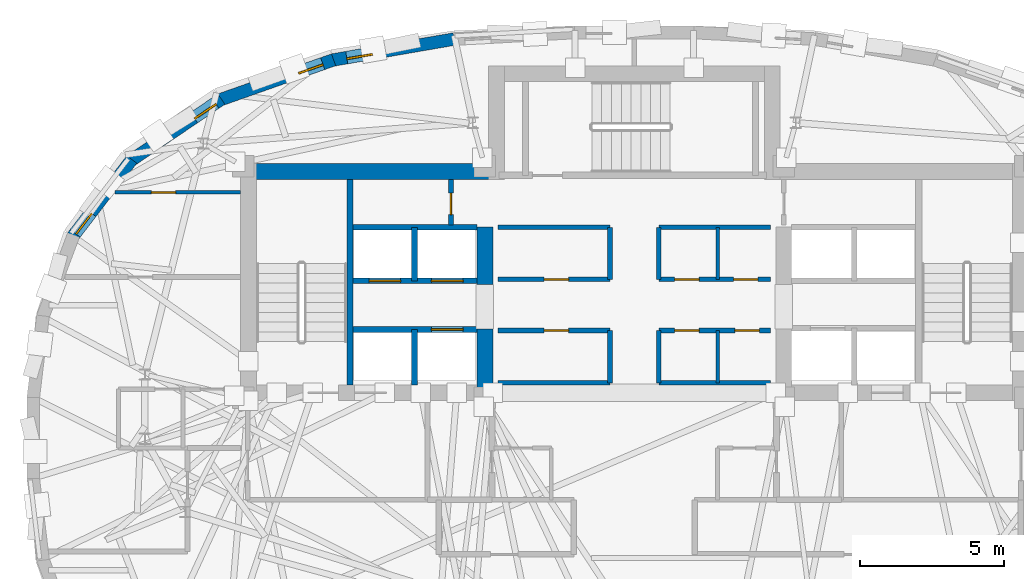
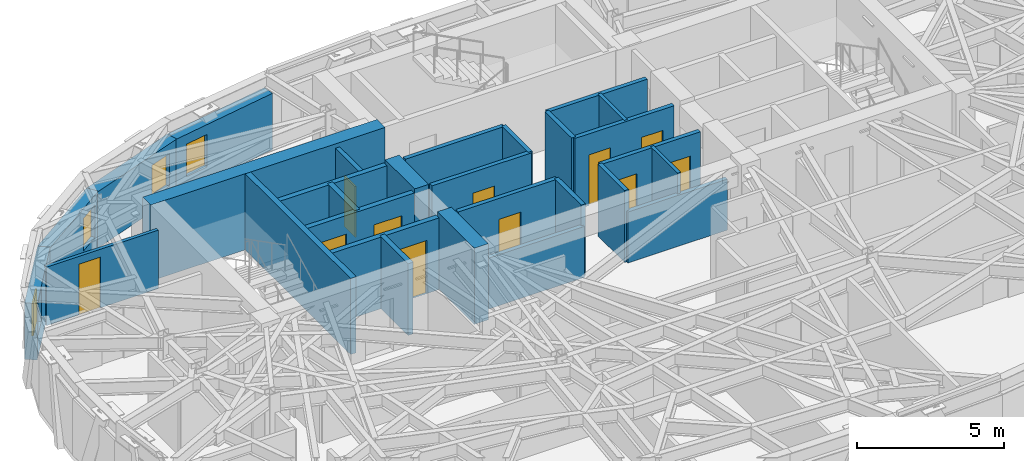
# One storey, part 7 of 12: 29 walls, 11 doors, 4 windows, 15 openings.
"""IFC4 building model written with IfcOpenShell, lengths in metres."""

from ifc_helpers import new_model, si_unit, direction, frame, frame_2d, origin, place, context, subcontext, project, spatial, rectangle, extrude, material, layer, layer_set, type_object, element, fill, save


model = new_model("IFC4")

# Units and contexts
model_context = context("Model", 3, precision=1e-05, world=origin(), true_north=direction((0.0, 1.0)))
body_context = subcontext(model_context, "Body", "Model", "MODEL_VIEW")
ifc_project = project(units=[si_unit("LENGTHUNIT", "METRE"), si_unit("AREAUNIT", "SQUARE_METRE"), si_unit("VOLUMEUNIT", "CUBIC_METRE"), si_unit("PLANEANGLEUNIT", "RADIAN"), si_unit("MASSUNIT", "GRAM", prefix="KILO")], contexts=[model_context])

# Site, building, storey
site_placement = place(None, origin())
site = spatial("IfcSite", under=ifc_project, at=site_placement, CompositionType="ELEMENT")
building_placement = place(site_placement, origin())
building = spatial("IfcBuilding", under=site, at=building_placement, Name="Keldmark Tower", CompositionType="ELEMENT")
storey_placement = place(building_placement, frame((0.0, 0.0, 247.800048828125)))
storey = spatial("IfcBuildingStorey", under=building, at=storey_placement, Name="L70", CompositionType="ELEMENT", Elevation=247.800048828125)

# Walls
ifc_material_1 = material(Name="Concrete C50/60", Category="concrete")
ifc_layer_1 = layer(ifc_material_1, 0.550048828125)
ifc_layer_set_1 = layer_set([ifc_layer_1], Name="Concrete C50/60")
wall_type_1 = type_object("IfcWallType", Name="High-Rise Core Shear Wall 550 mm", PredefinedType="SHEAR", material=ifc_layer_set_1)
wall_1_placement = place(storey_placement, frame((-13.699951171875, 9.27490234375, 0.0), z_axis=(0.0, 0.0, 1.0), x_axis=(1.0, 0.0, 0.0)))
element("IfcWall", 1, at=wall_1_placement, inside=storey, type_object=wall_type_1, Name="L70 West Core North Shear Wall", PredefinedType="SHEAR", context=body_context, shape_type="SweptSolid", body=[
    extrude(rectangle(XDim=9.175048828125, YDim=0.550048828125, at=frame_2d((4.58740234375, 0.0))), origin(), (0.0, 0.0, 1.0), 3.14990234375),
])
wall_2_placement = place(storey_placement, frame((-5.199951171875, 1.300048828125, 0.0), z_axis=(0.0, 0.0, 1.0), x_axis=(0.0, 1.0, 0.0)))
element("IfcWall", 2, at=wall_2_placement, inside=storey, type_object=wall_type_1, Name="L70 West Core Inner Shear Pier South", PredefinedType="SHEAR", context=body_context, shape_type="SweptSolid", body=[
    extrude(rectangle(XDim=2.5, YDim=0.550048828125, at=frame_2d((1.25, 0.0))), origin(), (0.0, 0.0, 1.0), 3.14990234375),
])
wall_3_placement = place(storey_placement, frame((-5.199951171875, 5.35009765625, 0.0), z_axis=(0.0, 0.0, 1.0), x_axis=(0.0, 1.0, 0.0)))
element("IfcWall", 3, at=wall_3_placement, inside=storey, type_object=wall_type_1, Name="L70 West Core Inner Shear Pier North", PredefinedType="SHEAR", context=body_context, shape_type="SweptSolid", body=[
    extrude(rectangle(XDim=2.0, YDim=0.550048828125, at=frame_2d((1.0, 0.0))), origin(), (0.0, 0.0, 1.0), 3.14990234375),
])
ifc_material_2 = material(Name="Acoustic Gypsum Board Interior Partition", Category="gypsum")
ifc_layer_2 = layer(ifc_material_2, 0.1298828125)
ifc_layer_set_2 = layer_set([ifc_layer_2], Name="Acoustic Gypsum Board Interior Partition")
wall_type_2 = type_object("IfcWallType", Name="Interior Partition 130 mm", PredefinedType="PARTITIONING", material=ifc_layer_set_2)
wall_4_placement = place(storey_placement, frame((2.89990234375, 1.919921875, 0.0), z_axis=(0.0, 0.0, 1.0), x_axis=(0.0, 1.0, 0.0)))
element("IfcWall", 4, at=wall_4_placement, inside=storey, type_object=wall_type_2, Name="L70 Interior Partition 130 mm REC-LE-M", PredefinedType="PARTITIONING", context=body_context, shape_type="SweptSolid", body=[
    extrude(rectangle(XDim=1.820068359375, YDim=0.1298828125, at=frame_2d((0.91015625, 0.0))), origin(), (0.0, 0.0, 1.0), 2.969970703125),
])
wall_5_placement = place(storey_placement, frame((2.89990234375, 5.52001953125, 0.0), z_axis=(0.0, 0.0, 1.0), x_axis=(0.0, 1.0, 0.0)))
element("IfcWall", 5, at=wall_5_placement, inside=storey, type_object=wall_type_2, Name="L70 Interior Partition 130 mm REC-ME-M", PredefinedType="PARTITIONING", context=body_context, shape_type="SweptSolid", body=[
    extrude(rectangle(XDim=1.81005859375, YDim=0.1298828125, at=frame_2d((0.905029296875, 0.0))), origin(), (0.0, 0.0, 1.0), 2.969970703125),
])

# Wall, opening, door
wall_6_placement = place(storey_placement, frame((-18.07177734375, 8.550048828125, 0.0), z_axis=(0.0, 0.0, 1.0), x_axis=(1.0, 0.0, 0.0)))
wall_6 = element("IfcWall", 6, at=wall_6_placement, inside=storey, type_object=wall_type_2, Name="L70 Interior Partition 130 mm UA-NDIV2", PredefinedType="PARTITIONING", context=body_context, shape_type="SweptSolid", body=[
    extrude(rectangle(XDim=4.371826171875, YDim=0.1298828125, at=frame_2d((2.18603515625, 0.0))), origin(), (0.0, 0.0, 1.0), 2.4228515625),
])
opening_1_placement = place(wall_6_placement, frame((1.264892578125, 0.0, 0.0)))
opening_1 = element("IfcOpeningElement", 7, at=opening_1_placement, cuts=wall_6, Name="Opening D-IN085", PredefinedType="OPENING", context=body_context, shape_type="SweptSolid", body=[
    extrude(rectangle(XDim=0.85009765625, YDim=2.10009765625, at=frame_2d((0.425048828125, 1.050048828125))), frame((0.0, 0.074951171875, 0.0), z_axis=(0.0, -1.0, 0.0), x_axis=(1.0, 0.0, 0.0)), (0.0, 0.0, 1.0), 0.14990234375),
])
ifc_material_3 = material(Name="Painted Architectural Wood", Category="wood")
door_type_1 = type_object("IfcDoorType", Name="Interior Door 850x2100", OperationType="NOTDEFINED", PredefinedType="DOOR", material=ifc_material_3)
door_1_placement = place(opening_1_placement, origin())
door_1 = element("IfcDoor", 8, at=door_1_placement, inside=storey, type_object=door_type_1, Name="L70 Interior Door 850x2100 D-UA-BR2-L70", OperationType="SINGLE_SWING_RIGHT", OverallHeight=2.10009765625, OverallWidth=0.85009765625, PredefinedType="DOOR", context=body_context, shape_type="SweptSolid", body=[
    extrude(rectangle(XDim=0.85009765625, YDim=2.10009765625, at=frame_2d((0.425048828125, 1.050048828125))), frame((0.0, 0.02490234375, 0.0), z_axis=(0.0, -1.0, 0.0), x_axis=(1.0, 0.0, 0.0)), (0.0, 0.0, 1.0), 0.050048828125),
])
fill(opening_1, door_1)

# Wall
ifc_material_4 = material(Name="Type X Fire-Rated Gypsum Partition Assembly", Category="gypsum")
ifc_layer_3 = layer(ifc_material_4, 0.1650390625)
ifc_layer_set_3 = layer_set([ifc_layer_3], Name="Type X Fire-Rated Gypsum Partition Assembly")
wall_type_3 = type_object("IfcWallType", Name="Rated Partition 165 mm", PredefinedType="PARTITIONING", material=ifc_layer_set_3)
wall_7_placement = place(storey_placement, frame((-4.739990234375, 1.919921875, 0.0), z_axis=(0.0, 0.0, 1.0), x_axis=(1.0, 0.0, 0.0)))
element("IfcWall", 9, at=wall_7_placement, inside=storey, type_object=wall_type_3, Name="L70 Rated Partition 165 mm REC-LW-S", PredefinedType="PARTITIONING", context=body_context, shape_type="SweptSolid", body=[
    extrude(rectangle(XDim=3.889892578125, YDim=0.1650390625, at=frame_2d((1.94482421875, 0.0))), origin(), (0.0, 0.0, 1.0), 2.10986328125),
])

# Wall, opening, door
wall_8_placement = place(storey_placement, frame((-4.739990234375, 3.739990234375, 0.0), z_axis=(0.0, 0.0, 1.0), x_axis=(1.0, 0.0, 0.0)))
wall_8 = element("IfcWall", 10, at=wall_8_placement, inside=storey, type_object=wall_type_3, Name="L70 Rated Partition 165 mm REC-LW-N", PredefinedType="PARTITIONING", context=body_context, shape_type="SweptSolid", body=[
    extrude(rectangle(XDim=3.889892578125, YDim=0.1650390625, at=frame_2d((1.94482421875, 0.0))), origin(), (0.0, 0.0, 1.0), 2.969970703125),
])
opening_2_placement = place(wall_8_placement, frame((1.60009765625, 0.0, 0.0)))
opening_2 = element("IfcOpeningElement", 11, at=opening_2_placement, cuts=wall_8, Name="Opening D-SV085", PredefinedType="OPENING", context=body_context, shape_type="SweptSolid", body=[
    extrude(rectangle(XDim=0.85009765625, YDim=2.10009765625, at=frame_2d((0.425048828125, 1.050048828125))), frame((0.0, 0.092529296875, 0.0), z_axis=(0.0, -1.0, 0.0), x_axis=(1.0, 0.0, 0.0)), (0.0, 0.0, 1.0), 0.18505859375),
])
ifc_material_5 = material(Name="Painted Hollow Metal Door Assembly", Category="metal")
door_type_2 = type_object("IfcDoorType", Name="Service Door 850x2100", OperationType="NOTDEFINED", PredefinedType="DOOR", material=ifc_material_5)
door_2_placement = place(opening_2_placement, origin())
door_2 = element("IfcDoor", 12, at=door_2_placement, inside=storey, type_object=door_type_2, Name="L70 Service Door 850x2100 D-RECLW1-L70", OperationType="SINGLE_SWING_LEFT", OverallHeight=2.10009765625, OverallWidth=0.85009765625, PredefinedType="DOOR", context=body_context, shape_type="SweptSolid", body=[
    extrude(rectangle(XDim=0.85009765625, YDim=2.10009765625, at=frame_2d((0.425048828125, 1.050048828125))), frame((0.0, 0.02490234375, 0.0), z_axis=(0.0, -1.0, 0.0), x_axis=(1.0, 0.0, 0.0)), (0.0, 0.0, 1.0), 0.050048828125),
])
fill(opening_2, door_2)

# Walls
wall_9_placement = place(storey_placement, frame((-0.85009765625, 1.919921875, 0.0), z_axis=(0.0, 0.0, 1.0), x_axis=(0.0, 1.0, 0.0)))
element("IfcWall", 13, at=wall_9_placement, inside=storey, type_object=wall_type_3, Name="L70 Rated Partition 165 mm REC-LW-E", PredefinedType="PARTITIONING", context=body_context, shape_type="SweptSolid", body=[
    extrude(rectangle(XDim=1.820068359375, YDim=0.1650390625, at=frame_2d((0.91015625, 0.0))), origin(), (0.0, 0.0, 1.0), 2.969970703125),
])
wall_10_placement = place(storey_placement, frame((0.85009765625, 1.919921875, 0.0), z_axis=(0.0, 0.0, 1.0), x_axis=(1.0, 0.0, 0.0)))
element("IfcWall", 14, at=wall_10_placement, inside=storey, type_object=wall_type_3, Name="L70 Rated Partition 165 mm REC-LE-S", PredefinedType="PARTITIONING", context=body_context, shape_type="SweptSolid", body=[
    extrude(rectangle(XDim=3.889892578125, YDim=0.1650390625, at=frame_2d((1.94482421875, 0.0))), origin(), (0.0, 0.0, 1.0), 2.10986328125),
])

# Wall, openings, doors
wall_11_placement = place(storey_placement, frame((0.85009765625, 3.739990234375, 0.0), z_axis=(0.0, 0.0, 1.0), x_axis=(1.0, 0.0, 0.0)))
wall_11 = element("IfcWall", 15, at=wall_11_placement, inside=storey, type_object=wall_type_3, Name="L70 Rated Partition 165 mm REC-LE-N", PredefinedType="PARTITIONING", context=body_context, shape_type="SweptSolid", body=[
    extrude(rectangle(XDim=3.889892578125, YDim=0.1650390625, at=frame_2d((1.94482421875, 0.0))), origin(), (0.0, 0.0, 1.0), 2.969970703125),
])
opening_3_placement = place(wall_11_placement, frame((0.550048828125, 0.0, 0.0)))
opening_3 = element("IfcOpeningElement", 16, at=opening_3_placement, cuts=wall_11, Name="Opening D-SV085", PredefinedType="OPENING", context=body_context, shape_type="SweptSolid", body=[
    extrude(rectangle(XDim=0.85009765625, YDim=2.10009765625, at=frame_2d((0.425048828125, 1.050048828125))), frame((0.0, 0.092529296875, 0.0), z_axis=(0.0, -1.0, 0.0), x_axis=(1.0, 0.0, 0.0)), (0.0, 0.0, 1.0), 0.18505859375),
])
opening_4_placement = place(wall_11_placement, frame((2.64990234375, 0.0, 0.0)))
opening_4 = element("IfcOpeningElement", 17, at=opening_4_placement, cuts=wall_11, Name="Opening D-SV085", PredefinedType="OPENING", context=body_context, shape_type="SweptSolid", body=[
    extrude(rectangle(XDim=0.85009765625, YDim=2.10009765625, at=frame_2d((0.425048828125, 1.050048828125))), frame((0.0, 0.092529296875, 0.0), z_axis=(0.0, -1.0, 0.0), x_axis=(1.0, 0.0, 0.0)), (0.0, 0.0, 1.0), 0.18505859375),
])
door_3_placement = place(opening_3_placement, origin())
door_3 = element("IfcDoor", 18, at=door_3_placement, inside=storey, type_object=door_type_2, Name="L70 Service Door 850x2100 D-RECLE1-L70", OperationType="SINGLE_SWING_LEFT", OverallHeight=2.10009765625, OverallWidth=0.85009765625, PredefinedType="DOOR", context=body_context, shape_type="SweptSolid", body=[
    extrude(rectangle(XDim=0.85009765625, YDim=2.10009765625, at=frame_2d((0.425048828125, 1.050048828125))), frame((0.0, 0.02490234375, 0.0), z_axis=(0.0, -1.0, 0.0), x_axis=(1.0, 0.0, 0.0)), (0.0, 0.0, 1.0), 0.050048828125),
])
fill(opening_3, door_3)
door_4_placement = place(opening_4_placement, origin())
door_4 = element("IfcDoor", 19, at=door_4_placement, inside=storey, type_object=door_type_2, Name="L70 Service Door 850x2100 D-RECLE2-L70", OperationType="SINGLE_SWING_RIGHT", OverallHeight=2.10009765625, OverallWidth=0.85009765625, PredefinedType="DOOR", context=body_context, shape_type="SweptSolid", body=[
    extrude(rectangle(XDim=0.85009765625, YDim=2.10009765625, at=frame_2d((0.425048828125, 1.050048828125))), frame((0.0, 0.02490234375, 0.0), z_axis=(0.0, -1.0, 0.0), x_axis=(1.0, 0.0, 0.0)), (0.0, 0.0, 1.0), 0.050048828125),
])
fill(opening_4, door_4)

# Wall
wall_12_placement = place(storey_placement, frame((0.85009765625, 1.919921875, 0.0), z_axis=(0.0, 0.0, 1.0), x_axis=(0.0, 1.0, 0.0)))
element("IfcWall", 20, at=wall_12_placement, inside=storey, type_object=wall_type_3, Name="L70 Rated Partition 165 mm REC-LE-W", PredefinedType="PARTITIONING", context=body_context, shape_type="SweptSolid", body=[
    extrude(rectangle(XDim=1.820068359375, YDim=0.1650390625, at=frame_2d((0.91015625, 0.0))), origin(), (0.0, 0.0, 1.0), 2.969970703125),
])

# Wall, opening, door
wall_13_placement = place(storey_placement, frame((-4.739990234375, 5.52001953125, 0.0), z_axis=(0.0, 0.0, 1.0), x_axis=(1.0, 0.0, 0.0)))
wall_13 = element("IfcWall", 21, at=wall_13_placement, inside=storey, type_object=wall_type_3, Name="L70 Rated Partition 165 mm REC-MW-S", PredefinedType="PARTITIONING", context=body_context, shape_type="SweptSolid", body=[
    extrude(rectangle(XDim=3.889892578125, YDim=0.1650390625, at=frame_2d((1.94482421875, 0.0))), origin(), (0.0, 0.0, 1.0), 2.969970703125),
])
opening_5_placement = place(wall_13_placement, frame((1.60009765625, 0.0, 0.0)))
opening_5 = element("IfcOpeningElement", 22, at=opening_5_placement, cuts=wall_13, Name="Opening D-SV085", PredefinedType="OPENING", context=body_context, shape_type="SweptSolid", body=[
    extrude(rectangle(XDim=0.85009765625, YDim=2.10009765625, at=frame_2d((0.425048828125, 1.050048828125))), frame((0.0, 0.092529296875, 0.0), z_axis=(0.0, -1.0, 0.0), x_axis=(1.0, 0.0, 0.0)), (0.0, 0.0, 1.0), 0.18505859375),
])
door_5_placement = place(opening_5_placement, origin())
door_5 = element("IfcDoor", 23, at=door_5_placement, inside=storey, type_object=door_type_2, Name="L70 Service Door 850x2100 D-RECMW1-L70", OperationType="SINGLE_SWING_LEFT", OverallHeight=2.10009765625, OverallWidth=0.85009765625, PredefinedType="DOOR", context=body_context, shape_type="SweptSolid", body=[
    extrude(rectangle(XDim=0.85009765625, YDim=2.10009765625, at=frame_2d((0.425048828125, 1.050048828125))), frame((0.0, 0.02490234375, 0.0), z_axis=(0.0, -1.0, 0.0), x_axis=(1.0, 0.0, 0.0)), (0.0, 0.0, 1.0), 0.050048828125),
])
fill(opening_5, door_5)

# Walls
wall_14_placement = place(storey_placement, frame((-4.739990234375, 7.330078125, 0.0), z_axis=(0.0, 0.0, 1.0), x_axis=(1.0, 0.0, 0.0)))
element("IfcWall", 24, at=wall_14_placement, inside=storey, type_object=wall_type_3, Name="L70 Rated Partition 165 mm REC-MW-N", PredefinedType="PARTITIONING", context=body_context, shape_type="SweptSolid", body=[
    extrude(rectangle(XDim=3.889892578125, YDim=0.1650390625, at=frame_2d((1.94482421875, 0.0))), origin(), (0.0, 0.0, 1.0), 2.969970703125),
])
wall_15_placement = place(storey_placement, frame((-0.85009765625, 5.52001953125, 0.0), z_axis=(0.0, 0.0, 1.0), x_axis=(0.0, 1.0, 0.0)))
element("IfcWall", 25, at=wall_15_placement, inside=storey, type_object=wall_type_3, Name="L70 Rated Partition 165 mm REC-MW-E", PredefinedType="PARTITIONING", context=body_context, shape_type="SweptSolid", body=[
    extrude(rectangle(XDim=1.81005859375, YDim=0.1650390625, at=frame_2d((0.905029296875, 0.0))), origin(), (0.0, 0.0, 1.0), 2.969970703125),
])

# Wall, openings, doors
wall_16_placement = place(storey_placement, frame((0.85009765625, 5.52001953125, 0.0), z_axis=(0.0, 0.0, 1.0), x_axis=(1.0, 0.0, 0.0)))
wall_16 = element("IfcWall", 26, at=wall_16_placement, inside=storey, type_object=wall_type_3, Name="L70 Rated Partition 165 mm REC-ME-S", PredefinedType="PARTITIONING", context=body_context, shape_type="SweptSolid", body=[
    extrude(rectangle(XDim=3.889892578125, YDim=0.1650390625, at=frame_2d((1.94482421875, 0.0))), origin(), (0.0, 0.0, 1.0), 2.969970703125),
])
opening_6_placement = place(wall_16_placement, frame((0.550048828125, 0.0, 0.0)))
opening_6 = element("IfcOpeningElement", 27, at=opening_6_placement, cuts=wall_16, Name="Opening D-SV085", PredefinedType="OPENING", context=body_context, shape_type="SweptSolid", body=[
    extrude(rectangle(XDim=0.85009765625, YDim=2.10009765625, at=frame_2d((0.425048828125, 1.050048828125))), frame((0.0, 0.092529296875, 0.0), z_axis=(0.0, -1.0, 0.0), x_axis=(1.0, 0.0, 0.0)), (0.0, 0.0, 1.0), 0.18505859375),
])
opening_7_placement = place(wall_16_placement, frame((2.60009765625, 0.0, 0.0)))
opening_7 = element("IfcOpeningElement", 28, at=opening_7_placement, cuts=wall_16, Name="Opening D-SV085", PredefinedType="OPENING", context=body_context, shape_type="SweptSolid", body=[
    extrude(rectangle(XDim=0.85009765625, YDim=2.10009765625, at=frame_2d((0.425048828125, 1.050048828125))), frame((0.0, 0.092529296875, 0.0), z_axis=(0.0, -1.0, 0.0), x_axis=(1.0, 0.0, 0.0)), (0.0, 0.0, 1.0), 0.18505859375),
])
door_6_placement = place(opening_6_placement, origin())
door_6 = element("IfcDoor", 29, at=door_6_placement, inside=storey, type_object=door_type_2, Name="L70 Service Door 850x2100 D-RECME1-L70", OperationType="SINGLE_SWING_RIGHT", OverallHeight=2.10009765625, OverallWidth=0.85009765625, PredefinedType="DOOR", context=body_context, shape_type="SweptSolid", body=[
    extrude(rectangle(XDim=0.85009765625, YDim=2.10009765625, at=frame_2d((0.425048828125, 1.050048828125))), frame((0.0, 0.02490234375, 0.0), z_axis=(0.0, -1.0, 0.0), x_axis=(1.0, 0.0, 0.0)), (0.0, 0.0, 1.0), 0.050048828125),
])
fill(opening_6, door_6)
door_7_placement = place(opening_7_placement, origin())
door_7 = element("IfcDoor", 30, at=door_7_placement, inside=storey, type_object=door_type_2, Name="L70 Service Door 850x2100 D-RECME2-L70", OperationType="SINGLE_SWING_RIGHT", OverallHeight=2.10009765625, OverallWidth=0.85009765625, PredefinedType="DOOR", context=body_context, shape_type="SweptSolid", body=[
    extrude(rectangle(XDim=0.85009765625, YDim=2.10009765625, at=frame_2d((0.425048828125, 1.050048828125))), frame((0.0, 0.02490234375, 0.0), z_axis=(0.0, -1.0, 0.0), x_axis=(1.0, 0.0, 0.0)), (0.0, 0.0, 1.0), 0.050048828125),
])
fill(opening_7, door_7)

# Walls
wall_17_placement = place(storey_placement, frame((0.85009765625, 7.330078125, 0.0), z_axis=(0.0, 0.0, 1.0), x_axis=(1.0, 0.0, 0.0)))
element("IfcWall", 31, at=wall_17_placement, inside=storey, type_object=wall_type_3, Name="L70 Rated Partition 165 mm REC-ME-N", PredefinedType="PARTITIONING", context=body_context, shape_type="SweptSolid", body=[
    extrude(rectangle(XDim=3.889892578125, YDim=0.1650390625, at=frame_2d((1.94482421875, 0.0))), origin(), (0.0, 0.0, 1.0), 2.969970703125),
])
wall_18_placement = place(storey_placement, frame((0.85009765625, 5.52001953125, 0.0), z_axis=(0.0, 0.0, 1.0), x_axis=(0.0, 1.0, 0.0)))
element("IfcWall", 32, at=wall_18_placement, inside=storey, type_object=wall_type_3, Name="L70 Rated Partition 165 mm REC-ME-W", PredefinedType="PARTITIONING", context=body_context, shape_type="SweptSolid", body=[
    extrude(rectangle(XDim=1.81005859375, YDim=0.1650390625, at=frame_2d((0.905029296875, 0.0))), origin(), (0.0, 0.0, 1.0), 2.969970703125),
])

# Wall, opening, door
wall_19_placement = place(storey_placement, frame((-6.3798828125, 7.419921875, 0.0), z_axis=(0.0, 0.0, 1.0), x_axis=(0.0, 1.0, 0.0)))
wall_19 = element("IfcWall", 33, at=wall_19_placement, inside=storey, type_object=wall_type_3, Name="L70 Rated Partition 165 mm CS-NW-E", PredefinedType="PARTITIONING", context=body_context, shape_type="SweptSolid", body=[
    extrude(rectangle(XDim=1.580078125, YDim=0.1650390625, at=frame_2d((0.7900390625, 0.0))), origin(), (0.0, 0.0, 1.0), 2.969970703125),
])
opening_8_placement = place(wall_19_placement, frame((0.35009765625, 0.0, 0.0)))
opening_8 = element("IfcOpeningElement", 34, at=opening_8_placement, cuts=wall_19, Name="Opening D-RS075", PredefinedType="OPENING", context=body_context, shape_type="SweptSolid", body=[
    extrude(rectangle(XDim=0.75, YDim=2.10009765625, at=frame_2d((0.375, 1.050048828125))), frame((0.0, 0.092529296875, 0.0), z_axis=(0.0, -1.0, 0.0), x_axis=(1.0, 0.0, 0.0)), (0.0, 0.0, 1.0), 0.18505859375),
])
ifc_material_6 = material(Name="Galvanized Fire-Rated Access Leaf", Category="metal")
door_type_3 = type_object("IfcDoorType", Name="Riser Access Door 750x2100", OperationType="NOTDEFINED", PredefinedType="DOOR", material=ifc_material_6)
door_8_placement = place(opening_8_placement, origin())
door_8 = element("IfcDoor", 35, at=door_8_placement, inside=storey, type_object=door_type_3, Name="L70 Riser Access Door 750x2100 D-CSNW1-L70", OperationType="SINGLE_SWING_RIGHT", OverallHeight=2.10009765625, OverallWidth=0.75, PredefinedType="DOOR", context=body_context, shape_type="SweptSolid", body=[
    extrude(rectangle(XDim=0.75, YDim=2.10009765625, at=frame_2d((0.375, 1.050048828125))), frame((0.0, 0.02490234375, 0.0), z_axis=(0.0, -1.0, 0.0), x_axis=(1.0, 0.0, 0.0)), (0.0, 0.0, 1.0), 0.050048828125),
])
fill(opening_8, door_8)

ifc_material_7 = material(Name="Fire-Resistant Type X Gypsum Shaftliner Coreboard", Category="gypsum")
ifc_layer_4 = layer(ifc_material_7, 0.199951171875)
ifc_layer_set_4 = layer_set([ifc_layer_4], Name="Fire-Resistant Type X Gypsum Shaftliner Coreboard")
wall_type_4 = type_object("IfcWallType", Name="Shaft Wall 200 mm", PredefinedType="SOLIDWALL", material=ifc_layer_set_4)
wall_20_placement = place(storey_placement, frame((-9.780029296875, 3.780029296875, 0.0), z_axis=(0.0, 0.0, 1.0), x_axis=(1.0, 0.0, 0.0)))
wall_20 = element("IfcWall", 36, at=wall_20_placement, inside=storey, type_object=wall_type_4, Name="L70 Shaft Wall 200 mm HW-W-S", PredefinedType="SOLIDWALL", context=body_context, shape_type="SweptSolid", body=[
    extrude(rectangle(XDim=4.304931640625, YDim=0.199951171875, at=frame_2d((2.15234375, 0.0))), origin(), (0.0, 0.0, 1.0), 2.969970703125),
])
opening_9_placement = place(wall_20_placement, frame((2.719970703125, 0.0, 0.0)))
opening_9 = element("IfcOpeningElement", 37, at=opening_9_placement, cuts=wall_20, Name="Opening LD-110", PredefinedType="OPENING", context=body_context, shape_type="SweptSolid", body=[
    extrude(rectangle(XDim=1.10009765625, YDim=2.199951171875, at=frame_2d((0.550048828125, 1.10009765625))), frame((0.0, 0.10986328125, 0.0), z_axis=(0.0, -1.0, 0.0), x_axis=(1.0, 0.0, 0.0)), (0.0, 0.0, 1.0), 0.219970703125),
])
ifc_material_8 = material(Name="Brushed Bronze Hoistway Sliding Leaf", Category="metal")
door_type_4 = type_object("IfcDoorType", Name="Lift Landing Sliding Door 1100x2200", OperationType="SLIDING_TO_LEFT", PredefinedType="DOOR", material=ifc_material_8)
door_9_placement = place(opening_9_placement, origin())
door_9 = element("IfcDoor", 38, at=door_9_placement, inside=storey, type_object=door_type_4, Name="L70 Lift Landing Sliding Door 1100x2200 LD-EL-H3-L70", OperationType="SLIDING_TO_LEFT", OverallHeight=2.199951171875, OverallWidth=1.10009765625, PredefinedType="DOOR", context=body_context, shape_type="SweptSolid", body=[
    extrude(rectangle(XDim=1.10009765625, YDim=2.199951171875, at=frame_2d((0.550048828125, 1.10009765625))), frame((0.0, 0.02490234375, 0.0), z_axis=(0.0, -1.0, 0.0), x_axis=(1.0, 0.0, 0.0)), (0.0, 0.0, 1.0), 0.050048828125),
])
fill(opening_9, door_9)

# Wall
wall_21_placement = place(storey_placement, frame((-7.64990234375, 1.85009765625, 0.0), z_axis=(0.0, 0.0, 1.0), x_axis=(0.0, 1.0, 0.0)))
element("IfcWall", 39, at=wall_21_placement, inside=storey, type_object=wall_type_4, Name="L70 Shaft Wall 200 mm HW-W-M", PredefinedType="SOLIDWALL", context=body_context, shape_type="SweptSolid", body=[
    extrude(rectangle(XDim=1.929931640625, YDim=0.199951171875, at=frame_2d((0.96484375, 0.0))), origin(), (0.0, 0.0, 1.0), 2.969970703125),
])

# Wall, openings, doors
wall_22_placement = place(storey_placement, frame((-9.780029296875, 5.469970703125, 0.0), z_axis=(0.0, 0.0, 1.0), x_axis=(1.0, 0.0, 0.0)))
wall_22 = element("IfcWall", 40, at=wall_22_placement, inside=storey, type_object=wall_type_4, Name="L70 Shaft Wall 200 mm HW-W-N", PredefinedType="SOLIDWALL", context=body_context, shape_type="SweptSolid", body=[
    extrude(rectangle(XDim=4.304931640625, YDim=0.199951171875, at=frame_2d((2.15234375, 0.0))), origin(), (0.0, 0.0, 1.0), 2.969970703125),
])
opening_10_placement = place(wall_22_placement, frame((0.550048828125, 0.0, 0.0)))
opening_10 = element("IfcOpeningElement", 41, at=opening_10_placement, cuts=wall_22, Name="Opening LD-110", PredefinedType="OPENING", context=body_context, shape_type="SweptSolid", body=[
    extrude(rectangle(XDim=1.10009765625, YDim=2.199951171875, at=frame_2d((0.550048828125, 1.10009765625))), frame((0.0, 0.10986328125, 0.0), z_axis=(0.0, -1.0, 0.0), x_axis=(1.0, 0.0, 0.0)), (0.0, 0.0, 1.0), 0.219970703125),
])
opening_11_placement = place(wall_22_placement, frame((2.719970703125, 0.0, 0.0)))
opening_11 = element("IfcOpeningElement", 42, at=opening_11_placement, cuts=wall_22, Name="Opening LD-110", PredefinedType="OPENING", context=body_context, shape_type="SweptSolid", body=[
    extrude(rectangle(XDim=1.10009765625, YDim=2.199951171875, at=frame_2d((0.550048828125, 1.10009765625))), frame((0.0, 0.10986328125, 0.0), z_axis=(0.0, -1.0, 0.0), x_axis=(1.0, 0.0, 0.0)), (0.0, 0.0, 1.0), 0.219970703125),
])
door_10_placement = place(opening_10_placement, origin())
door_10 = element("IfcDoor", 43, at=door_10_placement, inside=storey, type_object=door_type_4, Name="L70 Lift Landing Sliding Door 1100x2200 LD-EL-H1-L70", OperationType="SLIDING_TO_LEFT", OverallHeight=2.199951171875, OverallWidth=1.10009765625, PredefinedType="DOOR", context=body_context, shape_type="SweptSolid", body=[
    extrude(rectangle(XDim=1.10009765625, YDim=2.199951171875, at=frame_2d((0.550048828125, 1.10009765625))), frame((0.0, 0.02490234375, 0.0), z_axis=(0.0, -1.0, 0.0), x_axis=(1.0, 0.0, 0.0)), (0.0, 0.0, 1.0), 0.050048828125),
])
fill(opening_10, door_10)
door_11_placement = place(opening_11_placement, origin())
door_11 = element("IfcDoor", 44, at=door_11_placement, inside=storey, type_object=door_type_4, Name="L70 Lift Landing Sliding Door 1100x2200 LD-EL-H2-L70", OperationType="SLIDING_TO_LEFT", OverallHeight=2.199951171875, OverallWidth=1.10009765625, PredefinedType="DOOR", context=body_context, shape_type="SweptSolid", body=[
    extrude(rectangle(XDim=1.10009765625, YDim=2.199951171875, at=frame_2d((0.550048828125, 1.10009765625))), frame((0.0, 0.02490234375, 0.0), z_axis=(0.0, -1.0, 0.0), x_axis=(1.0, 0.0, 0.0)), (0.0, 0.0, 1.0), 0.050048828125),
])
fill(opening_11, door_11)

# Walls
wall_23_placement = place(storey_placement, frame((-9.780029296875, 7.330078125, 0.0), z_axis=(0.0, 0.0, 1.0), x_axis=(1.0, 0.0, 0.0)))
element("IfcWall", 45, at=wall_23_placement, inside=storey, type_object=wall_type_4, Name="L70 Shaft Wall 200 mm HW-W-TOP", PredefinedType="SOLIDWALL", context=body_context, shape_type="SweptSolid", body=[
    extrude(rectangle(XDim=4.304931640625, YDim=0.199951171875, at=frame_2d((2.15234375, 0.0))), origin(), (0.0, 0.0, 1.0), 2.969970703125),
])
wall_24_placement = place(storey_placement, frame((-7.64990234375, 5.469970703125, 0.0), z_axis=(0.0, 0.0, 1.0), x_axis=(0.0, 1.0, 0.0)))
element("IfcWall", 46, at=wall_24_placement, inside=storey, type_object=wall_type_4, Name="L70 Shaft Wall 200 mm HW-W-NM", PredefinedType="SOLIDWALL", context=body_context, shape_type="SweptSolid", body=[
    extrude(rectangle(XDim=1.860107421875, YDim=0.199951171875, at=frame_2d((0.93017578125, 0.0))), origin(), (0.0, 0.0, 1.0), 2.969970703125),
])
ifc_material_9 = material(Name="Concrete C50/60", Category="concrete")
ifc_layer_5 = layer(ifc_material_9, 0.219970703125)
ifc_layer_set_5 = layer_set([ifc_layer_5], Name="Concrete C50/60")
wall_type_5 = type_object("IfcWallType", Name="Stair Core Shear Wall 220 mm", PredefinedType="SHEAR", material=ifc_layer_set_5)
wall_25_placement = place(storey_placement, frame((-9.889892578125, 1.85009765625, 0.0), z_axis=(0.0, 0.0, 1.0), x_axis=(0.0, 1.0, 0.0)))
element("IfcWall", 47, at=wall_25_placement, inside=storey, type_object=wall_type_5, Name="L70 West Stair Core Shear Wall", PredefinedType="SHEAR", context=body_context, shape_type="SweptSolid", body=[
    extrude(rectangle(XDim=7.14990234375, YDim=0.219970703125, at=frame_2d((3.574951171875, 0.0))), origin(), (0.0, 0.0, 1.0), 3.14990234375),
])

# Wall, opening, window
ifc_material_10 = material(Name="Ironspot Manganese Brick and Kasota Buff Limestone Spandrel Assembly", Category="masonry")
ifc_layer_6 = layer(ifc_material_10, 0.43994140625)
ifc_layer_set_6 = layer_set([ifc_layer_6], Name="Ironspot Manganese Brick and Kasota Buff Limestone Spandrel Assembly")
wall_type_6 = type_object("IfcWallType", Name="Tower Brick Pier and Spandrel Wall 440 mm", PredefinedType="STANDARD", material=ifc_layer_set_6)
wall_26_placement = place(storey_placement, frame((-10.49951171875, 13.14990234375, 0.0), z_axis=(0.0, 0.0, 1.0), x_axis=(0.985405225971, 0.170224970641, 0.0)))
wall_26 = element("IfcWall", 48, at=wall_26_placement, inside=storey, type_object=wall_type_6, Name="L70 Exterior Brick and Spandrel Wall 10", PredefinedType="STANDARD", context=body_context, shape_type="SweptSolid", body=[
    extrude(rectangle(XDim=4.292724609375, YDim=0.43994140625, at=frame_2d((2.146484375, 0.0))), origin(), (0.0, 0.0, 1.0), 2.3359375),
])
opening_12_placement = place(wall_26_placement, frame((0.499267578125, 0.0, 0.580078125)))
opening_12 = element("IfcOpeningElement", 49, at=opening_12_placement, cuts=wall_26, Name="Opening W-09", PredefinedType="OPENING", context=body_context, shape_type="SweptSolid", body=[
    extrude(rectangle(XDim=0.89990234375, YDim=1.35009765625, at=frame_2d((0.449951171875, 0.675048828125))), frame((0.0, 0.22998046875, 0.0), z_axis=(0.0, -1.0, 0.0), x_axis=(1.0, 0.0, 0.0)), (0.0, 0.0, 1.0), 0.4599609375),
])
ifc_material_11 = material(Name="Thermally Broken Anodized Aluminum and Triple Low-E Argon Glazing", Category="aluminium")
window_type = type_object("IfcWindowType", Name="Corner Pier Deep-Set Window 900x1350", PartitioningType="SINGLE_PANEL", PredefinedType="WINDOW", material=ifc_material_11)
window_1_placement = place(opening_12_placement, origin())
window_1 = element("IfcWindow", 50, at=window_1_placement, inside=storey, type_object=window_type, Name="L70 Deep-Set Window 10", OverallHeight=1.35009765625, OverallWidth=0.89990234375, PartitioningType="SINGLE_PANEL", PredefinedType="WINDOW", context=body_context, shape_type="SweptSolid", body=[
    extrude(rectangle(XDim=0.89990234375, YDim=1.35009765625, at=frame_2d((0.449951171875, 0.675048828125))), frame((0.0, -0.010009765625, 0.0), z_axis=(0.0, -1.0, 0.0), x_axis=(1.0, 0.0, 0.0)), (0.0, 0.0, 1.0), 0.06005859375),
])
fill(opening_12, window_1)

wall_27_placement = place(storey_placement, frame((-14.41845703125, 11.765380859375, 0.0), z_axis=(0.0, 0.0, 1.0), x_axis=(0.943128925421, 0.332427180047, 0.0)))
wall_27 = element("IfcWall", 51, at=wall_27_placement, inside=storey, type_object=wall_type_6, Name="L70 Exterior Brick and Spandrel Wall 11", PredefinedType="STANDARD", context=body_context, shape_type="SweptSolid", body=[
    extrude(rectangle(XDim=4.19287109375, YDim=0.43994140625, at=frame_2d((2.096435546875, 0.0))), origin(), (0.0, 0.0, 1.0), 2.3359375),
])
opening_13_placement = place(wall_27_placement, frame((2.893310546875, 0.0, 0.580078125)))
opening_13 = element("IfcOpeningElement", 52, at=opening_13_placement, cuts=wall_27, Name="Opening W-09", PredefinedType="OPENING", context=body_context, shape_type="SweptSolid", body=[
    extrude(rectangle(XDim=0.89990234375, YDim=1.35009765625, at=frame_2d((0.449951171875, 0.675048828125))), frame((0.0, 0.22998046875, 0.0), z_axis=(0.0, -1.0, 0.0), x_axis=(1.0, 0.0, 0.0)), (0.0, 0.0, 1.0), 0.4599609375),
])
window_2_placement = place(opening_13_placement, origin())
window_2 = element("IfcWindow", 53, at=window_2_placement, inside=storey, type_object=window_type, Name="L70 Deep-Set Window 11", OverallHeight=1.35009765625, OverallWidth=0.89990234375, PartitioningType="SINGLE_PANEL", PredefinedType="WINDOW", context=body_context, shape_type="SweptSolid", body=[
    extrude(rectangle(XDim=0.89990234375, YDim=1.35009765625, at=frame_2d((0.449951171875, 0.675048828125))), frame((0.0, -0.010009765625, 0.0), z_axis=(0.0, -1.0, 0.0), x_axis=(1.0, 0.0, 0.0)), (0.0, 0.0, 1.0), 0.06005859375),
])
fill(opening_13, window_2)

wall_28_placement = place(storey_placement, frame((-17.53466796875, 9.643798828125, 0.0), z_axis=(0.0, 0.0, 1.0), x_axis=(0.827685387822, 0.56119239017, 0.0)))
wall_28 = element("IfcWall", 54, at=wall_28_placement, inside=storey, type_object=wall_type_6, Name="L70 Exterior Brick and Spandrel Wall 12", PredefinedType="STANDARD", context=body_context, shape_type="SweptSolid", body=[
    extrude(rectangle(XDim=3.82568359375, YDim=0.43994140625, at=frame_2d((1.912841796875, 0.0))), origin(), (0.0, 0.0, 1.0), 2.3359375),
])
opening_14_placement = place(wall_28_placement, frame((2.67626953125, 0.0, 0.580078125)))
opening_14 = element("IfcOpeningElement", 55, at=opening_14_placement, cuts=wall_28, Name="Opening W-09", PredefinedType="OPENING", context=body_context, shape_type="SweptSolid", body=[
    extrude(rectangle(XDim=0.89990234375, YDim=1.35009765625, at=frame_2d((0.449951171875, 0.675048828125))), frame((0.0, 0.22998046875, 0.0), z_axis=(0.0, -1.0, 0.0), x_axis=(1.0, 0.0, 0.0)), (0.0, 0.0, 1.0), 0.4599609375),
])
window_3_placement = place(opening_14_placement, origin())
window_3 = element("IfcWindow", 56, at=window_3_placement, inside=storey, type_object=window_type, Name="L70 Deep-Set Window 12", OverallHeight=1.35009765625, OverallWidth=0.89990234375, PartitioningType="SINGLE_PANEL", PredefinedType="WINDOW", context=body_context, shape_type="SweptSolid", body=[
    extrude(rectangle(XDim=0.89990234375, YDim=1.35009765625, at=frame_2d((0.449951171875, 0.675048828125))), frame((0.0, -0.010009765625, 0.0), z_axis=(0.0, -1.0, 0.0), x_axis=(1.0, 0.0, 0.0)), (0.0, 0.0, 1.0), 0.06005859375),
])
fill(opening_14, window_3)

wall_29_placement = place(storey_placement, frame((-19.5390625, 7.0107421875, 0.0), z_axis=(0.0, 0.0, 1.0), x_axis=(0.608417890777, 0.793616828314, 0.0)))
wall_29 = element("IfcWall", 57, at=wall_29_placement, inside=storey, type_object=wall_type_6, Name="L70 Exterior Brick and Spandrel Wall 13", PredefinedType="STANDARD", context=body_context, shape_type="SweptSolid", body=[
    extrude(rectangle(XDim=3.378662109375, YDim=0.43994140625, at=frame_2d((1.689453125, 0.0))), origin(), (0.0, 0.0, 1.0), 2.3359375),
])
opening_15_placement = place(wall_29_placement, frame((0.139892578125, 0.0, 0.8798828125)))
opening_15 = element("IfcOpeningElement", 58, at=opening_15_placement, cuts=wall_29, Name="Opening W-09", PredefinedType="OPENING", context=body_context, shape_type="SweptSolid", body=[
    extrude(rectangle(XDim=0.89990234375, YDim=1.35009765625, at=frame_2d((0.449951171875, 0.675048828125))), frame((0.0, 0.22998046875, 0.0), z_axis=(0.0, -1.0, 0.0), x_axis=(1.0, 0.0, 0.0)), (0.0, 0.0, 1.0), 0.4599609375),
])
window_4_placement = place(opening_15_placement, origin())
window_4 = element("IfcWindow", 59, at=window_4_placement, inside=storey, type_object=window_type, Name="L70 Pier Window RM01", OverallHeight=1.35009765625, OverallWidth=0.89990234375, PartitioningType="SINGLE_PANEL", PredefinedType="WINDOW", context=body_context, shape_type="SweptSolid", body=[
    extrude(rectangle(XDim=0.89990234375, YDim=1.35009765625, at=frame_2d((0.449951171875, 0.675048828125))), frame((0.0, -0.010009765625, 0.0), z_axis=(0.0, -1.0, 0.0), x_axis=(1.0, 0.0, 0.0)), (0.0, 0.0, 1.0), 0.06005859375),
])
fill(opening_15, window_4)

save(model, "model.ifc")
